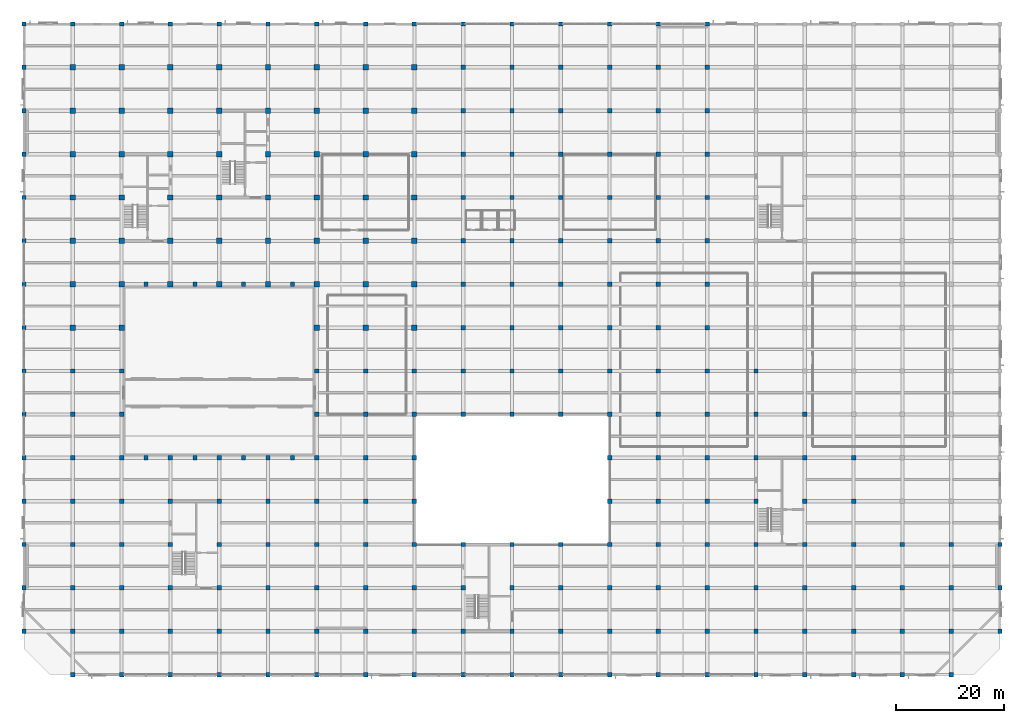
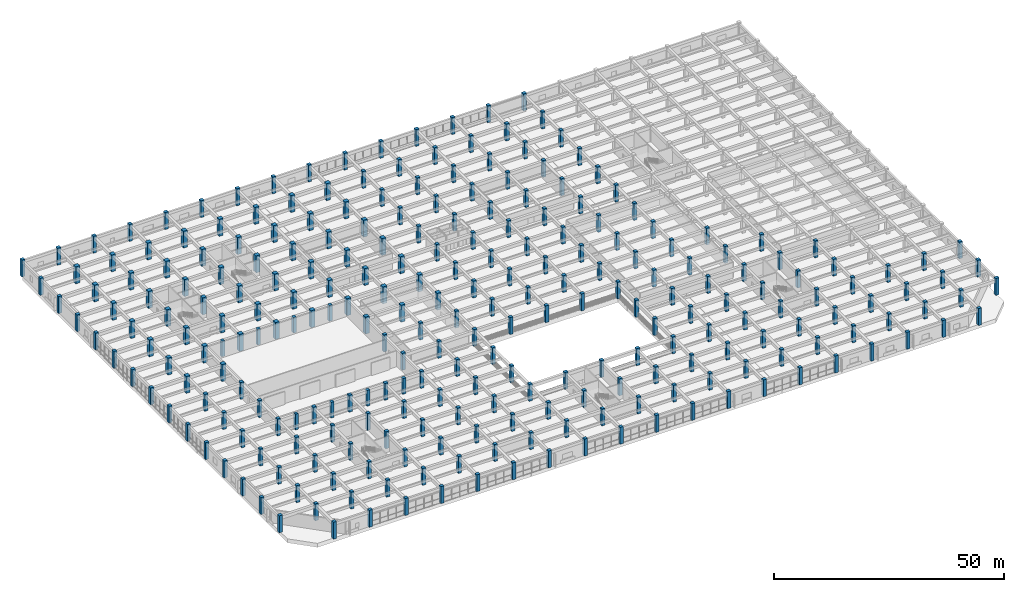
# One storey, part 1 of 50: 264 columns.
"""IFC4 building model written with IfcOpenShell, lengths in metres."""

import ifcopenshell
import ifcopenshell.guid

model = None  # the IFC model being written
_history = None  # IfcOwnerHistory: only IFC2X3 demands one
_inside = {}  # id of a spatial element -> (the spatial element, [elements in it])
_under = {}  # id of a project, library or spatial element -> (it, [spatial elements below it])
_declared = {}  # id of a project -> (the project, [libraries it declares])
_typed = {}  # id of a type object -> (the type object, [elements of that type])
_made_of = {}  # id of a material, layer set ... -> (it, [elements and type objects made of it])


def new_model(schema):
    """Start an empty IFC model of exactly this schema.

    Asked for "IFC4X3", IfcOpenShell would pick the latest addendum, in which some entities
    have other attributes; the version numbers below select the first issue.
    IFC2X3 requires an IfcOwnerHistory on every rooted entity: one is made here for all.
    """
    global model, _history
    if schema == "IFC4X3":
        model = ifcopenshell.file(schema_version=(4, 3, 0, 0))
    else:
        model = ifcopenshell.file(schema=schema)
    _inside.clear()
    _under.clear()
    _declared.clear()
    _typed.clear()
    _made_of.clear()
    _history = None
    if model.schema == "IFC2X3":
        org = make("IfcOrganization", Name="unknown")
        user = make(
            "IfcPersonAndOrganization",
            ThePerson=make("IfcPerson", FamilyName="unknown"),
            TheOrganization=org,
        )
        app = make(
            "IfcApplication",
            ApplicationDeveloper=org,
            Version="unknown",
            ApplicationFullName="unknown",
            ApplicationIdentifier="unknown",
        )
        _history = make(
            "IfcOwnerHistory",
            OwningUser=user,
            OwningApplication=app,
            ChangeAction="ADDED",
            CreationDate=0,
        )
    return model


def make(cls, **values):
    """One entity of the class cls with the attributes given. An attribute that is None is left unset."""
    return model.create_entity(
        cls, **{name: value for name, value in values.items() if value is not None}
    )


def rooted(cls, **values):
    """An entity with a GlobalId (a new one), such as an element, a storey or a relation."""
    return make(cls, GlobalId=ifcopenshell.guid.new(), OwnerHistory=_history, **values)


def si_unit(unit_type, name, prefix=None):
    """IfcSIUnit, for example si_unit("LENGTHUNIT", "METRE", prefix="MILLI")."""
    return make("IfcSIUnit", UnitType=unit_type, Prefix=prefix, Name=name)


def assignment(units):
    """IfcUnitAssignment: the units of a project."""
    return None if units is None else make("IfcUnitAssignment", Units=units)


def point(xyz):
    """IfcCartesianPoint."""
    return None if xyz is None else make("IfcCartesianPoint", Coordinates=xyz)


def direction(xyz):
    """IfcDirection."""
    return None if xyz is None else make("IfcDirection", DirectionRatios=xyz)


def frame(location, z_axis=None, x_axis=None):
    """IfcAxis2Placement3D, a coordinate frame: its origin and axes. An axis left out is left unset."""
    return make(
        "IfcAxis2Placement3D",
        Location=point(location),
        Axis=direction(z_axis),
        RefDirection=direction(x_axis),
    )


def frame_2d(location, x_axis=None):
    """IfcAxis2Placement2D, a coordinate frame in the plane: its origin and x axis."""
    return make(
        "IfcAxis2Placement2D", Location=point(location), RefDirection=direction(x_axis)
    )


def origin():
    """The frame at (0, 0, 0) with its axes left unset."""
    return frame((0.0, 0.0, 0.0))


def origin_2d():
    """The frame at (0, 0) in the plane with its x axis left unset."""
    return frame_2d((0.0, 0.0))


def place(relative_to, where):
    """IfcLocalPlacement: puts the frame where relative to a parent placement (None: the world)."""
    return make(
        "IfcLocalPlacement", PlacementRelTo=relative_to, RelativePlacement=where
    )


def context(
    kind, dimensions, precision=None, world=None, true_north=None, identifier=None
):
    """IfcGeometricRepresentationContext, for example the 3D "Model" context."""
    return make(
        "IfcGeometricRepresentationContext",
        ContextIdentifier=identifier,
        ContextType=kind,
        CoordinateSpaceDimension=dimensions,
        Precision=precision,
        WorldCoordinateSystem=world,
        TrueNorth=true_north,
    )


def subcontext(parent, identifier, kind, view, scale=None):
    """IfcGeometricRepresentationSubContext, for example "Body" below "Model"."""
    return make(
        "IfcGeometricRepresentationSubContext",
        ContextIdentifier=identifier,
        ContextType=kind,
        ParentContext=parent,
        TargetScale=scale,
        TargetView=view,
    )


def project(units=None, contexts=None):
    """IfcProject with its units and contexts."""
    return rooted(
        "IfcProject",
        Name="project",
        RepresentationContexts=contexts,
        UnitsInContext=assignment(units),
    )


def spatial(cls, under=None, at=None, **own):
    """A site, building, storey or space (cls), placed at a placement, below another one or the project."""
    s = rooted(cls, ObjectPlacement=at, **own)
    if under is not None:
        _under.setdefault(under.id(), (under, []))[1].append(s)
    return s


def profile(cls, at=None, kind="AREA", **sizes):
    """A parametric profile (cls). Its sizes go by their IFC names, for example OverallWidth=200.0."""
    return make(cls, ProfileType=kind, Position=at, **sizes)


def rectangle(**sizes):
    """IfcRectangleProfileDef."""
    return profile("IfcRectangleProfileDef", **sizes)


def extrude(swept, where, along, depth):
    """IfcExtrudedAreaSolid: the profile swept, set in the frame where, extruded along a direction by depth."""
    return make(
        "IfcExtrudedAreaSolid",
        SweptArea=swept,
        Position=where,
        ExtrudedDirection=direction(along),
        Depth=depth,
    )


def shape(context_of_items, identifier, shape_type, items):
    """IfcShapeRepresentation: the items that make up one representation, for example the "Body"."""
    return make(
        "IfcShapeRepresentation",
        ContextOfItems=context_of_items,
        RepresentationIdentifier=identifier,
        RepresentationType=shape_type,
        Items=items,
    )


def material(Name=None, Category=None):
    """IfcMaterial."""
    return make("IfcMaterial", Name=Name, Category=Category)


def material_profile(
    of_material, cross_section, Name=None, Category=None, Priority=None
):
    """IfcMaterialProfile: a cross section and its material."""
    return make(
        "IfcMaterialProfile",
        Name=Name,
        Material=of_material,
        Profile=cross_section,
        Priority=Priority,
        Category=Category,
    )


def profile_set(profiles, Name=None, composite=None):
    """IfcMaterialProfileSet."""
    return make(
        "IfcMaterialProfileSet",
        Name=Name,
        MaterialProfiles=profiles,
        CompositeProfile=composite,
    )


def made_of(thing, what):
    """Note that an element or type object is made of a material, layer set ...; save() writes the relation."""
    if what is not None:
        _made_of.setdefault(what.id(), (what, []))[1].append(thing)
    return thing


def type_object(cls, material=None, **own):
    """A type object (cls), such as IfcWallType, which elements share."""
    return made_of(rooted(cls, **own), material)


def element(
    cls,
    number,
    at=None,
    inside=None,
    cuts=None,
    type_object=None,
    material=None,
    context=None,
    identifier="Body",
    shape_type=None,
    held_by="IfcProductDefinitionShape",
    body=None,
    shapes=None,
    **own,
):
    """One element of the class cls, such as IfcWall. Its Tag is "e" and its number.

    at: its placement. inside: the storey or other place that contains it. cuts: it is an
    opening in that element (IfcRelVoidsElement). A single representation is given by context,
    identifier, shape_type and body (its items); several are given by shapes. held_by: the class
    of the entity that holds the representations. save() writes the other relations.
    """
    e = rooted(cls, Tag="e%d" % number, ObjectPlacement=at, **own)
    if body is not None:
        shapes = [shape(context, identifier, shape_type, body)]
    if shapes is not None:
        e.Representation = make(held_by, Representations=shapes)
    if inside is not None:
        _inside.setdefault(inside.id(), (inside, []))[1].append(e)
    if cuts is not None:
        rooted(
            "IfcRelVoidsElement", RelatingBuildingElement=cuts, RelatedOpeningElement=e
        )
    if type_object is not None:
        _typed.setdefault(type_object.id(), (type_object, []))[1].append(e)
    return made_of(e, material)


def aggregate(whole, parts):
    """IfcRelAggregates: a whole, such as a stair, and the parts it consists of."""
    return rooted("IfcRelAggregates", RelatingObject=whole, RelatedObjects=parts)


def save(model, path):
    """Write the relations noted so far, then the file.

    IfcRelAggregates (storeys below a building ...), IfcRelContainedInSpatialStructure (elements
    in a storey), IfcRelDefinesByType, IfcRelAssociatesMaterial and IfcRelDeclares: one each for
    every whole, place, type object, material and project.
    """
    for whole, parts in _under.values():
        aggregate(whole, parts)
    for where, things in _inside.values():
        rooted(
            "IfcRelContainedInSpatialStructure",
            RelatedElements=things,
            RelatingStructure=where,
        )
    for kind, things in _typed.values():
        rooted("IfcRelDefinesByType", RelatedObjects=things, RelatingType=kind)
    for what, things in _made_of.values():
        rooted("IfcRelAssociatesMaterial", RelatedObjects=things, RelatingMaterial=what)
    for by, libraries in _declared.values():
        rooted("IfcRelDeclares", RelatingContext=by, RelatedDefinitions=libraries)
    model.write(path)


model = new_model("IFC4")

# Units and contexts
model_context = context("Model", 3, precision=1e-05, world=origin(), true_north=direction((0.0, 1.0)))
body_context = subcontext(model_context, "Body", "Model", "MODEL_VIEW")
ifc_project = project(units=[si_unit("LENGTHUNIT", "METRE"), si_unit("AREAUNIT", "SQUARE_METRE"), si_unit("VOLUMEUNIT", "CUBIC_METRE"), si_unit("PLANEANGLEUNIT", "RADIAN"), si_unit("MASSUNIT", "GRAM", prefix="KILO")], contexts=[model_context])

# Site, building, storey
site_placement = place(None, origin())
site = spatial("IfcSite", under=ifc_project, at=site_placement, CompositionType="ELEMENT")
building_placement = place(site_placement, origin())
building = spatial("IfcBuilding", under=site, at=building_placement, Name="Zaverband Oceanarium and Marine Research Institute", CompositionType="ELEMENT")
storey_placement = place(building_placement, frame((0.0, 0.0, 4.5)))
storey = spatial("IfcBuildingStorey", under=building, at=storey_placement, Name="L01", CompositionType="ELEMENT", Elevation=4.5)

# Columns
ifc_material = material(Name="Concrete C50/60", Category="concrete")
ifc_material_profile_1 = material_profile(ifc_material, rectangle(XDim=1.0, YDim=1.0, at=origin_2d()), Name="RC1000x1000")
ifc_profile_set_1 = profile_set([ifc_material_profile_1], Name="Concrete C50/60")
column_type_1 = type_object("IfcColumnType", Name="COL-C1000", PredefinedType="COLUMN", material=ifc_profile_set_1)
for number, where, z_axis, x_axis, name in (
    (1, (9.0, 64.0, 0.0), (0.0, 0.0, 1.0), (1.0, 0.0, 0.0), "Reinforced concrete column RC1000x1000 COL-C1000"),
    (2, (9.0, 72.0, 0.0), (0.0, 0.0, 1.0), (1.0, 0.0, 0.0), "Reinforced concrete column RC1000x1000 COL-C1000"),
    (3, (9.0, 80.0, 0.0), (0.0, 0.0, 1.0), (1.0, 0.0, 0.0), "Reinforced concrete column RC1000x1000 COL-C1000"),
    (4, (9.0, 88.0, 0.0), (0.0, 0.0, 1.0), (1.0, 0.0, 0.0), "Reinforced concrete column RC1000x1000 COL-C1000"),
    (5, (9.0, 96.0, 0.0), (0.0, 0.0, 1.0), (1.0, 0.0, 0.0), "Reinforced concrete column RC1000x1000 COL-C1000"),
    (6, (9.0, 104.0, 0.0), (0.0, 0.0, 1.0), (1.0, 0.0, 0.0), "Reinforced concrete column RC1000x1000 COL-C1000"),
    (7, (9.0, 112.0, 0.0), (0.0, 0.0, 1.0), (1.0, 0.0, 0.0), "Reinforced concrete column RC1000x1000 COL-C1000"),
    (8, (18.0, 64.0, 0.0), (0.0, 0.0, 1.0), (1.0, 0.0, 0.0), "Reinforced concrete column RC1000x1000 COL-C1000"),
    (9, (18.0, 72.0, 0.0), (0.0, 0.0, 1.0), (1.0, 0.0, 0.0), "Reinforced concrete column RC1000x1000 COL-C1000"),
    (10, (18.0, 80.0, 0.0), (0.0, 0.0, 1.0), (1.0, 0.0, 0.0), "Reinforced concrete column RC1000x1000 COL-C1000"),
    (11, (18.0, 88.0, 0.0), (0.0, 0.0, 1.0), (1.0, 0.0, 0.0), "Reinforced concrete column RC1000x1000 COL-C1000"),
    (12, (18.0, 96.0, 0.0), (0.0, 0.0, 1.0), (1.0, 0.0, 0.0), "Reinforced concrete column RC1000x1000 COL-C1000"),
    (13, (18.0, 104.0, 0.0), (0.0, 0.0, 1.0), (1.0, 0.0, 0.0), "Reinforced concrete column RC1000x1000 COL-C1000"),
    (14, (18.0, 112.0, 0.0), (0.0, 0.0, 1.0), (1.0, 0.0, 0.0), "Reinforced concrete column RC1000x1000 COL-C1000"),
    (15, (27.0, 72.0, 0.0), (0.0, 0.0, 1.0), (1.0, 0.0, 0.0), "Reinforced concrete column RC1000x1000 COL-C1000"),
    (16, (27.0, 80.0, 0.0), (0.0, 0.0, 1.0), (1.0, 0.0, 0.0), "Reinforced concrete column RC1000x1000 COL-C1000"),
    (17, (27.0, 88.0, 0.0), (0.0, 0.0, 1.0), (1.0, 0.0, 0.0), "Reinforced concrete column RC1000x1000 COL-C1000"),
    (18, (27.0, 96.0, 0.0), (0.0, 0.0, 1.0), (1.0, 0.0, 0.0), "Reinforced concrete column RC1000x1000 COL-C1000"),
    (19, (27.0, 104.0, 0.0), (0.0, 0.0, 1.0), (1.0, 0.0, 0.0), "Reinforced concrete column RC1000x1000 COL-C1000"),
    (20, (27.0, 112.0, 0.0), (0.0, 0.0, 1.0), (1.0, 0.0, 0.0), "Reinforced concrete column RC1000x1000 COL-C1000"),
    (21, (36.0, 72.0, 0.0), (0.0, 0.0, 1.0), (1.0, 0.0, 0.0), "Reinforced concrete column RC1000x1000 COL-C1000"),
    (22, (36.0, 80.0, 0.0), (0.0, 0.0, 1.0), (1.0, 0.0, 0.0), "Reinforced concrete column RC1000x1000 COL-C1000"),
    (23, (36.0, 88.0, 0.0), (0.0, 0.0, 1.0), (1.0, 0.0, 0.0), "Reinforced concrete column RC1000x1000 COL-C1000"),
    (24, (36.0, 96.0, 0.0), (0.0, 0.0, 1.0), (1.0, 0.0, 0.0), "Reinforced concrete column RC1000x1000 COL-C1000"),
    (25, (36.0, 104.0, 0.0), (0.0, 0.0, 1.0), (1.0, 0.0, 0.0), "Reinforced concrete column RC1000x1000 COL-C1000"),
    (26, (36.0, 112.0, 0.0), (0.0, 0.0, 1.0), (1.0, 0.0, 0.0), "Reinforced concrete column RC1000x1000 COL-C1000"),
    (27, (45.0, 72.0, 0.0), (0.0, 0.0, 1.0), (1.0, 0.0, 0.0), "Reinforced concrete column RC1000x1000 COL-C1000"),
    (28, (45.0, 80.0, 0.0), (0.0, 0.0, 1.0), (1.0, 0.0, 0.0), "Reinforced concrete column RC1000x1000 COL-C1000"),
    (29, (45.0, 88.0, 0.0), (0.0, 0.0, 1.0), (1.0, 0.0, 0.0), "Reinforced concrete column RC1000x1000 COL-C1000"),
    (30, (45.0, 96.0, 0.0), (0.0, 0.0, 1.0), (1.0, 0.0, 0.0), "Reinforced concrete column RC1000x1000 COL-C1000"),
    (31, (45.0, 104.0, 0.0), (0.0, 0.0, 1.0), (1.0, 0.0, 0.0), "Reinforced concrete column RC1000x1000 COL-C1000"),
    (32, (45.0, 112.0, 0.0), (0.0, 0.0, 1.0), (1.0, 0.0, 0.0), "Reinforced concrete column RC1000x1000 COL-C1000"),
    (33, (54.0, 64.0, 0.0), (0.0, 0.0, 1.0), (1.0, 0.0, 0.0), "Reinforced concrete column RC1000x1000 COL-C1000"),
    (34, (54.0, 72.0, 0.0), (0.0, 0.0, 1.0), (1.0, 0.0, 0.0), "Reinforced concrete column RC1000x1000 COL-C1000"),
    (35, (54.0, 80.0, 0.0), (0.0, 0.0, 1.0), (1.0, 0.0, 0.0), "Reinforced concrete column RC1000x1000 COL-C1000"),
    (36, (54.0, 88.0, 0.0), (0.0, 0.0, 1.0), (1.0, 0.0, 0.0), "Reinforced concrete column RC1000x1000 COL-C1000"),
    (37, (54.0, 96.0, 0.0), (0.0, 0.0, 1.0), (1.0, 0.0, 0.0), "Reinforced concrete column RC1000x1000 COL-C1000"),
    (38, (54.0, 104.0, 0.0), (0.0, 0.0, 1.0), (1.0, 0.0, 0.0), "Reinforced concrete column RC1000x1000 COL-C1000"),
    (39, (54.0, 112.0, 0.0), (0.0, 0.0, 1.0), (1.0, 0.0, 0.0), "Reinforced concrete column RC1000x1000 COL-C1000"),
    (40, (63.0, 64.0, 0.0), (0.0, 0.0, 1.0), (1.0, 0.0, 0.0), "Reinforced concrete column RC1000x1000 COL-C1000"),
    (41, (63.0, 72.0, 0.0), (0.0, 0.0, 1.0), (1.0, 0.0, 0.0), "Reinforced concrete column RC1000x1000 COL-C1000"),
    (42, (63.0, 80.0, 0.0), (0.0, 0.0, 1.0), (1.0, 0.0, 0.0), "Reinforced concrete column RC1000x1000 COL-C1000"),
    (43, (63.0, 88.0, 0.0), (0.0, 0.0, 1.0), (1.0, 0.0, 0.0), "Reinforced concrete column RC1000x1000 COL-C1000"),
    (44, (63.0, 96.0, 0.0), (0.0, 0.0, 1.0), (1.0, 0.0, 0.0), "Reinforced concrete column RC1000x1000 COL-C1000"),
    (45, (63.0, 104.0, 0.0), (0.0, 0.0, 1.0), (1.0, 0.0, 0.0), "Reinforced concrete column RC1000x1000 COL-C1000"),
    (46, (63.0, 112.0, 0.0), (0.0, 0.0, 1.0), (1.0, 0.0, 0.0), "Reinforced concrete column RC1000x1000 COL-C1000"),
    (47, (72.0, 64.0, 0.0), (0.0, 0.0, 1.0), (1.0, 0.0, 0.0), "Reinforced concrete column RC1000x1000 COL-C1000"),
    (48, (72.0, 72.0, 0.0), (0.0, 0.0, 1.0), (1.0, 0.0, 0.0), "Reinforced concrete column RC1000x1000 COL-C1000"),
    (49, (72.0, 80.0, 0.0), (0.0, 0.0, 1.0), (1.0, 0.0, 0.0), "Reinforced concrete column RC1000x1000 COL-C1000"),
    (50, (72.0, 88.0, 0.0), (0.0, 0.0, 1.0), (1.0, 0.0, 0.0), "Reinforced concrete column RC1000x1000 COL-C1000"),
    (51, (72.0, 96.0, 0.0), (0.0, 0.0, 1.0), (1.0, 0.0, 0.0), "Reinforced concrete column RC1000x1000 COL-C1000"),
    (52, (72.0, 104.0, 0.0), (0.0, 0.0, 1.0), (1.0, 0.0, 0.0), "Reinforced concrete column RC1000x1000 COL-C1000"),
    (53, (72.0, 112.0, 0.0), (0.0, 0.0, 1.0), (1.0, 0.0, 0.0), "Reinforced concrete column RC1000x1000 COL-C1000"),
):
    element("IfcColumn", number, at=place(storey_placement, frame(where, z_axis=z_axis, x_axis=x_axis)), inside=storey, type_object=column_type_1, Name=name, PredefinedType="COLUMN", context=body_context, shape_type="SweptSolid", body=[
        extrude(rectangle(XDim=1.0, YDim=1.0, at=origin_2d()), origin(), (0.0, 0.0, 1.0), 4.5),
    ])
ifc_material_profile_2 = material_profile(ifc_material, rectangle(XDim=0.75, YDim=0.75, at=origin_2d()), Name="RC750x750")
ifc_profile_set_2 = profile_set([ifc_material_profile_2], Name="Concrete C50/60")
column_type_2 = type_object("IfcColumnType", Name="COL-C750", PredefinedType="COLUMN", material=ifc_profile_set_2)
for number, where, z_axis, x_axis, name in (
    (54, (22.5, 40.0, 0.0), (0.0, 0.0, 1.0), (1.0, 0.0, 0.0), "Reinforced concrete column RC750x750 COL-C750"),
    (55, (31.5, 40.0, 0.0), (0.0, 0.0, 1.0), (1.0, 0.0, 0.0), "Reinforced concrete column RC750x750 COL-C750"),
    (56, (40.5, 40.0, 0.0), (0.0, 0.0, 1.0), (1.0, 0.0, 0.0), "Reinforced concrete column RC750x750 COL-C750"),
    (57, (49.5, 40.0, 0.0), (0.0, 0.0, 1.0), (1.0, 0.0, 0.0), "Reinforced concrete column RC750x750 COL-C750"),
    (58, (22.5, 72.0, 0.0), (0.0, 0.0, 1.0), (1.0, 0.0, 0.0), "Reinforced concrete column RC750x750 COL-C750"),
    (59, (31.5, 72.0, 0.0), (0.0, 0.0, 1.0), (1.0, 0.0, 0.0), "Reinforced concrete column RC750x750 COL-C750"),
    (60, (40.5, 72.0, 0.0), (0.0, 0.0, 1.0), (1.0, 0.0, 0.0), "Reinforced concrete column RC750x750 COL-C750"),
    (61, (49.5, 72.0, 0.0), (0.0, 0.0, 1.0), (1.0, 0.0, 0.0), "Reinforced concrete column RC750x750 COL-C750"),
):
    element("IfcColumn", number, at=place(storey_placement, frame(where, z_axis=z_axis, x_axis=x_axis)), inside=storey, type_object=column_type_2, Name=name, PredefinedType="COLUMN", context=body_context, shape_type="SweptSolid", body=[
        extrude(rectangle(XDim=0.75, YDim=0.75, at=origin_2d()), origin(), (0.0, 0.0, 1.0), 4.179931640625),
    ])
ifc_material_profile_3 = material_profile(ifc_material, rectangle(XDim=0.800048828125, YDim=0.800048828125, at=origin_2d()), Name="RC800x800")
ifc_profile_set_3 = profile_set([ifc_material_profile_3], Name="Concrete C50/60")
column_type_3 = type_object("IfcColumnType", Name="COL-C800", PredefinedType="COLUMN", material=ifc_profile_set_3)
for number, where, z_axis, x_axis, name in (
    (62, (0.0, 8.0, 0.0), (0.0, 0.0, 1.0), (1.0, 0.0, 0.0), "Reinforced concrete column RC800x800 COL-C800"),
    (63, (0.0, 16.0, 0.0), (0.0, 0.0, 1.0), (1.0, 0.0, 0.0), "Reinforced concrete column RC800x800 COL-C800"),
    (64, (0.0, 24.0, 0.0), (0.0, 0.0, 1.0), (1.0, 0.0, 0.0), "Reinforced concrete column RC800x800 COL-C800"),
    (65, (0.0, 32.0, 0.0), (0.0, 0.0, 1.0), (1.0, 0.0, 0.0), "Reinforced concrete column RC800x800 COL-C800"),
    (66, (0.0, 40.0, 0.0), (0.0, 0.0, 1.0), (1.0, 0.0, 0.0), "Reinforced concrete column RC800x800 COL-C800"),
    (67, (0.0, 48.0, 0.0), (0.0, 0.0, 1.0), (1.0, 0.0, 0.0), "Reinforced concrete column RC800x800 COL-C800"),
    (68, (0.0, 56.0, 0.0), (0.0, 0.0, 1.0), (1.0, 0.0, 0.0), "Reinforced concrete column RC800x800 COL-C800"),
    (69, (0.0, 64.0, 0.0), (0.0, 0.0, 1.0), (1.0, 0.0, 0.0), "Reinforced concrete column RC800x800 COL-C800"),
    (70, (0.0, 72.0, 0.0), (0.0, 0.0, 1.0), (1.0, 0.0, 0.0), "Reinforced concrete column RC800x800 COL-C800"),
    (71, (0.0, 80.0, 0.0), (0.0, 0.0, 1.0), (1.0, 0.0, 0.0), "Reinforced concrete column RC800x800 COL-C800"),
    (72, (0.0, 88.0, 0.0), (0.0, 0.0, 1.0), (1.0, 0.0, 0.0), "Reinforced concrete column RC800x800 COL-C800"),
    (73, (0.0, 96.0, 0.0), (0.0, 0.0, 1.0), (1.0, 0.0, 0.0), "Reinforced concrete column RC800x800 COL-C800"),
    (74, (0.0, 104.0, 0.0), (0.0, 0.0, 1.0), (1.0, 0.0, 0.0), "Reinforced concrete column RC800x800 COL-C800"),
    (75, (0.0, 112.0, 0.0), (0.0, 0.0, 1.0), (1.0, 0.0, 0.0), "Reinforced concrete column RC800x800 COL-C800"),
    (76, (0.0, 120.0, 0.0), (0.0, 0.0, 1.0), (1.0, 0.0, 0.0), "Reinforced concrete column RC800x800 COL-C800"),
    (77, (9.0, 0.0, 0.0), (0.0, 0.0, 1.0), (1.0, 0.0, 0.0), "Reinforced concrete column RC800x800 COL-C800"),
    (78, (9.0, 8.0, 0.0), (0.0, 0.0, 1.0), (1.0, 0.0, 0.0), "Reinforced concrete column RC800x800 COL-C800"),
    (79, (9.0, 16.0, 0.0), (0.0, 0.0, 1.0), (1.0, 0.0, 0.0), "Reinforced concrete column RC800x800 COL-C800"),
    (80, (9.0, 24.0, 0.0), (0.0, 0.0, 1.0), (1.0, 0.0, 0.0), "Reinforced concrete column RC800x800 COL-C800"),
    (81, (9.0, 32.0, 0.0), (0.0, 0.0, 1.0), (1.0, 0.0, 0.0), "Reinforced concrete column RC800x800 COL-C800"),
    (82, (9.0, 40.0, 0.0), (0.0, 0.0, 1.0), (1.0, 0.0, 0.0), "Reinforced concrete column RC800x800 COL-C800"),
    (83, (9.0, 48.0, 0.0), (0.0, 0.0, 1.0), (1.0, 0.0, 0.0), "Reinforced concrete column RC800x800 COL-C800"),
    (84, (9.0, 56.0, 0.0), (0.0, 0.0, 1.0), (1.0, 0.0, 0.0), "Reinforced concrete column RC800x800 COL-C800"),
    (85, (9.0, 120.0, 0.0), (0.0, 0.0, 1.0), (1.0, 0.0, 0.0), "Reinforced concrete column RC800x800 COL-C800"),
    (86, (18.0, 0.0, 0.0), (0.0, 0.0, 1.0), (1.0, 0.0, 0.0), "Reinforced concrete column RC800x800 COL-C800"),
    (87, (18.0, 8.0, 0.0), (0.0, 0.0, 1.0), (1.0, 0.0, 0.0), "Reinforced concrete column RC800x800 COL-C800"),
    (88, (18.0, 16.0, 0.0), (0.0, 0.0, 1.0), (1.0, 0.0, 0.0), "Reinforced concrete column RC800x800 COL-C800"),
    (89, (18.0, 24.0, 0.0), (0.0, 0.0, 1.0), (1.0, 0.0, 0.0), "Reinforced concrete column RC800x800 COL-C800"),
    (90, (18.0, 32.0, 0.0), (0.0, 0.0, 1.0), (1.0, 0.0, 0.0), "Reinforced concrete column RC800x800 COL-C800"),
    (91, (18.0, 40.0, 0.0), (0.0, 0.0, 1.0), (1.0, 0.0, 0.0), "Reinforced concrete column RC800x800 COL-C800"),
    (92, (18.0, 48.0, 0.0), (0.0, 0.0, 1.0), (1.0, 0.0, 0.0), "Reinforced concrete column RC800x800 COL-C800"),
    (93, (18.0, 56.0, 0.0), (0.0, 0.0, 1.0), (1.0, 0.0, 0.0), "Reinforced concrete column RC800x800 COL-C800"),
    (94, (18.0, 120.0, 0.0), (0.0, 0.0, 1.0), (1.0, 0.0, 0.0), "Reinforced concrete column RC800x800 COL-C800"),
    (95, (27.0, 0.0, 0.0), (0.0, 0.0, 1.0), (1.0, 0.0, 0.0), "Reinforced concrete column RC800x800 COL-C800"),
    (96, (27.0, 8.0, 0.0), (0.0, 0.0, 1.0), (1.0, 0.0, 0.0), "Reinforced concrete column RC800x800 COL-C800"),
    (97, (27.0, 16.0, 0.0), (0.0, 0.0, 1.0), (1.0, 0.0, 0.0), "Reinforced concrete column RC800x800 COL-C800"),
    (98, (27.0, 24.0, 0.0), (0.0, 0.0, 1.0), (1.0, 0.0, 0.0), "Reinforced concrete column RC800x800 COL-C800"),
    (99, (27.0, 32.0, 0.0), (0.0, 0.0, 1.0), (1.0, 0.0, 0.0), "Reinforced concrete column RC800x800 COL-C800"),
    (100, (27.0, 40.0, 0.0), (0.0, 0.0, 1.0), (1.0, 0.0, 0.0), "Reinforced concrete column RC800x800 COL-C800"),
    (101, (27.0, 120.0, 0.0), (0.0, 0.0, 1.0), (1.0, 0.0, 0.0), "Reinforced concrete column RC800x800 COL-C800"),
    (102, (36.0, 0.0, 0.0), (0.0, 0.0, 1.0), (1.0, 0.0, 0.0), "Reinforced concrete column RC800x800 COL-C800"),
    (103, (36.0, 8.0, 0.0), (0.0, 0.0, 1.0), (1.0, 0.0, 0.0), "Reinforced concrete column RC800x800 COL-C800"),
    (104, (36.0, 16.0, 0.0), (0.0, 0.0, 1.0), (1.0, 0.0, 0.0), "Reinforced concrete column RC800x800 COL-C800"),
    (105, (36.0, 24.0, 0.0), (0.0, 0.0, 1.0), (1.0, 0.0, 0.0), "Reinforced concrete column RC800x800 COL-C800"),
    (106, (36.0, 32.0, 0.0), (0.0, 0.0, 1.0), (1.0, 0.0, 0.0), "Reinforced concrete column RC800x800 COL-C800"),
    (107, (36.0, 40.0, 0.0), (0.0, 0.0, 1.0), (1.0, 0.0, 0.0), "Reinforced concrete column RC800x800 COL-C800"),
    (108, (36.0, 120.0, 0.0), (0.0, 0.0, 1.0), (1.0, 0.0, 0.0), "Reinforced concrete column RC800x800 COL-C800"),
    (109, (45.0, 0.0, 0.0), (0.0, 0.0, 1.0), (1.0, 0.0, 0.0), "Reinforced concrete column RC800x800 COL-C800"),
    (110, (45.0, 8.0, 0.0), (0.0, 0.0, 1.0), (1.0, 0.0, 0.0), "Reinforced concrete column RC800x800 COL-C800"),
    (111, (45.0, 16.0, 0.0), (0.0, 0.0, 1.0), (1.0, 0.0, 0.0), "Reinforced concrete column RC800x800 COL-C800"),
    (112, (45.0, 24.0, 0.0), (0.0, 0.0, 1.0), (1.0, 0.0, 0.0), "Reinforced concrete column RC800x800 COL-C800"),
    (113, (45.0, 32.0, 0.0), (0.0, 0.0, 1.0), (1.0, 0.0, 0.0), "Reinforced concrete column RC800x800 COL-C800"),
    (114, (45.0, 40.0, 0.0), (0.0, 0.0, 1.0), (1.0, 0.0, 0.0), "Reinforced concrete column RC800x800 COL-C800"),
    (115, (45.0, 120.0, 0.0), (0.0, 0.0, 1.0), (1.0, 0.0, 0.0), "Reinforced concrete column RC800x800 COL-C800"),
    (116, (54.0, 0.0, 0.0), (0.0, 0.0, 1.0), (1.0, 0.0, 0.0), "Reinforced concrete column RC800x800 COL-C800"),
    (117, (54.0, 8.0, 0.0), (0.0, 0.0, 1.0), (1.0, 0.0, 0.0), "Reinforced concrete column RC800x800 COL-C800"),
    (118, (54.0, 16.0, 0.0), (0.0, 0.0, 1.0), (1.0, 0.0, 0.0), "Reinforced concrete column RC800x800 COL-C800"),
    (119, (54.0, 24.0, 0.0), (0.0, 0.0, 1.0), (1.0, 0.0, 0.0), "Reinforced concrete column RC800x800 COL-C800"),
    (120, (54.0, 32.0, 0.0), (0.0, 0.0, 1.0), (1.0, 0.0, 0.0), "Reinforced concrete column RC800x800 COL-C800"),
    (121, (54.0, 40.0, 0.0), (0.0, 0.0, 1.0), (1.0, 0.0, 0.0), "Reinforced concrete column RC800x800 COL-C800"),
    (122, (54.0, 48.0, 0.0), (0.0, 0.0, 1.0), (1.0, 0.0, 0.0), "Reinforced concrete column RC800x800 COL-C800"),
    (123, (54.0, 56.0, 0.0), (0.0, 0.0, 1.0), (1.0, 0.0, 0.0), "Reinforced concrete column RC800x800 COL-C800"),
    (124, (54.0, 120.0, 0.0), (0.0, 0.0, 1.0), (1.0, 0.0, 0.0), "Reinforced concrete column RC800x800 COL-C800"),
    (125, (63.0, 0.0, 0.0), (0.0, 0.0, 1.0), (1.0, 0.0, 0.0), "Reinforced concrete column RC800x800 COL-C800"),
    (126, (63.0, 8.0, 0.0), (0.0, 0.0, 1.0), (1.0, 0.0, 0.0), "Reinforced concrete column RC800x800 COL-C800"),
    (127, (63.0, 16.0, 0.0), (0.0, 0.0, 1.0), (1.0, 0.0, 0.0), "Reinforced concrete column RC800x800 COL-C800"),
    (128, (63.0, 24.0, 0.0), (0.0, 0.0, 1.0), (1.0, 0.0, 0.0), "Reinforced concrete column RC800x800 COL-C800"),
    (129, (63.0, 32.0, 0.0), (0.0, 0.0, 1.0), (1.0, 0.0, 0.0), "Reinforced concrete column RC800x800 COL-C800"),
    (130, (63.0, 40.0, 0.0), (0.0, 0.0, 1.0), (1.0, 0.0, 0.0), "Reinforced concrete column RC800x800 COL-C800"),
    (131, (63.0, 48.0, 0.0), (0.0, 0.0, 1.0), (1.0, 0.0, 0.0), "Reinforced concrete column RC800x800 COL-C800"),
    (132, (63.0, 56.0, 0.0), (0.0, 0.0, 1.0), (1.0, 0.0, 0.0), "Reinforced concrete column RC800x800 COL-C800"),
    (133, (63.0, 120.0, 0.0), (0.0, 0.0, 1.0), (1.0, 0.0, 0.0), "Reinforced concrete column RC800x800 COL-C800"),
    (134, (72.0, 0.0, 0.0), (0.0, 0.0, 1.0), (1.0, 0.0, 0.0), "Reinforced concrete column RC800x800 COL-C800"),
    (135, (72.0, 8.0, 0.0), (0.0, 0.0, 1.0), (1.0, 0.0, 0.0), "Reinforced concrete column RC800x800 COL-C800"),
    (136, (72.0, 16.0, 0.0), (0.0, 0.0, 1.0), (1.0, 0.0, 0.0), "Reinforced concrete column RC800x800 COL-C800"),
    (137, (72.0, 24.0, 0.0), (0.0, 0.0, 1.0), (1.0, 0.0, 0.0), "Reinforced concrete column RC800x800 COL-C800"),
    (138, (72.0, 32.0, 0.0), (0.0, 0.0, 1.0), (1.0, 0.0, 0.0), "Reinforced concrete column RC800x800 COL-C800"),
    (139, (72.0, 40.0, 0.0), (0.0, 0.0, 1.0), (1.0, 0.0, 0.0), "Reinforced concrete column RC800x800 COL-C800"),
    (140, (72.0, 48.0, 0.0), (0.0, 0.0, 1.0), (1.0, 0.0, 0.0), "Reinforced concrete column RC800x800 COL-C800"),
    (141, (72.0, 56.0, 0.0), (0.0, 0.0, 1.0), (1.0, 0.0, 0.0), "Reinforced concrete column RC800x800 COL-C800"),
    (142, (72.0, 120.0, 0.0), (0.0, 0.0, 1.0), (1.0, 0.0, 0.0), "Reinforced concrete column RC800x800 COL-C800"),
    (143, (81.0, 0.0, 0.0), (0.0, 0.0, 1.0), (1.0, 0.0, 0.0), "Reinforced concrete column RC800x800 COL-C800"),
    (144, (81.0, 8.0, 0.0), (0.0, 0.0, 1.0), (1.0, 0.0, 0.0), "Reinforced concrete column RC800x800 COL-C800"),
    (145, (81.0, 16.0, 0.0), (0.0, 0.0, 1.0), (1.0, 0.0, 0.0), "Reinforced concrete column RC800x800 COL-C800"),
    (146, (81.0, 24.0, 0.0), (0.0, 0.0, 1.0), (1.0, 0.0, 0.0), "Reinforced concrete column RC800x800 COL-C800"),
    (147, (81.0, 48.0, 0.0), (0.0, 0.0, 1.0), (1.0, 0.0, 0.0), "Reinforced concrete column RC800x800 COL-C800"),
    (148, (81.0, 56.0, 0.0), (0.0, 0.0, 1.0), (1.0, 0.0, 0.0), "Reinforced concrete column RC800x800 COL-C800"),
    (149, (81.0, 64.0, 0.0), (0.0, 0.0, 1.0), (1.0, 0.0, 0.0), "Reinforced concrete column RC800x800 COL-C800"),
    (150, (81.0, 72.0, 0.0), (0.0, 0.0, 1.0), (1.0, 0.0, 0.0), "Reinforced concrete column RC800x800 COL-C800"),
    (151, (81.0, 80.0, 0.0), (0.0, 0.0, 1.0), (1.0, 0.0, 0.0), "Reinforced concrete column RC800x800 COL-C800"),
    (152, (81.0, 88.0, 0.0), (0.0, 0.0, 1.0), (1.0, 0.0, 0.0), "Reinforced concrete column RC800x800 COL-C800"),
    (153, (81.0, 96.0, 0.0), (0.0, 0.0, 1.0), (1.0, 0.0, 0.0), "Reinforced concrete column RC800x800 COL-C800"),
    (154, (81.0, 104.0, 0.0), (0.0, 0.0, 1.0), (1.0, 0.0, 0.0), "Reinforced concrete column RC800x800 COL-C800"),
    (155, (81.0, 112.0, 0.0), (0.0, 0.0, 1.0), (1.0, 0.0, 0.0), "Reinforced concrete column RC800x800 COL-C800"),
    (156, (81.0, 120.0, 0.0), (0.0, 0.0, 1.0), (1.0, 0.0, 0.0), "Reinforced concrete column RC800x800 COL-C800"),
    (157, (90.0, 0.0, 0.0), (0.0, 0.0, 1.0), (1.0, 0.0, 0.0), "Reinforced concrete column RC800x800 COL-C800"),
    (158, (90.0, 8.0, 0.0), (0.0, 0.0, 1.0), (1.0, 0.0, 0.0), "Reinforced concrete column RC800x800 COL-C800"),
    (159, (90.0, 16.0, 0.0), (0.0, 0.0, 1.0), (1.0, 0.0, 0.0), "Reinforced concrete column RC800x800 COL-C800"),
    (160, (90.0, 24.0, 0.0), (0.0, 0.0, 1.0), (1.0, 0.0, 0.0), "Reinforced concrete column RC800x800 COL-C800"),
    (161, (90.0, 48.0, 0.0), (0.0, 0.0, 1.0), (1.0, 0.0, 0.0), "Reinforced concrete column RC800x800 COL-C800"),
    (162, (90.0, 56.0, 0.0), (0.0, 0.0, 1.0), (1.0, 0.0, 0.0), "Reinforced concrete column RC800x800 COL-C800"),
    (163, (90.0, 64.0, 0.0), (0.0, 0.0, 1.0), (1.0, 0.0, 0.0), "Reinforced concrete column RC800x800 COL-C800"),
    (164, (90.0, 72.0, 0.0), (0.0, 0.0, 1.0), (1.0, 0.0, 0.0), "Reinforced concrete column RC800x800 COL-C800"),
    (165, (90.0, 80.0, 0.0), (0.0, 0.0, 1.0), (1.0, 0.0, 0.0), "Reinforced concrete column RC800x800 COL-C800"),
    (166, (90.0, 88.0, 0.0), (0.0, 0.0, 1.0), (1.0, 0.0, 0.0), "Reinforced concrete column RC800x800 COL-C800"),
    (167, (90.0, 96.0, 0.0), (0.0, 0.0, 1.0), (1.0, 0.0, 0.0), "Reinforced concrete column RC800x800 COL-C800"),
    (168, (90.0, 104.0, 0.0), (0.0, 0.0, 1.0), (1.0, 0.0, 0.0), "Reinforced concrete column RC800x800 COL-C800"),
    (169, (90.0, 112.0, 0.0), (0.0, 0.0, 1.0), (1.0, 0.0, 0.0), "Reinforced concrete column RC800x800 COL-C800"),
    (170, (90.0, 120.0, 0.0), (0.0, 0.0, 1.0), (1.0, 0.0, 0.0), "Reinforced concrete column RC800x800 COL-C800"),
    (171, (99.0, 0.0, 0.0), (0.0, 0.0, 1.0), (1.0, 0.0, 0.0), "Reinforced concrete column RC800x800 COL-C800"),
    (172, (99.0, 8.0, 0.0), (0.0, 0.0, 1.0), (1.0, 0.0, 0.0), "Reinforced concrete column RC800x800 COL-C800"),
    (173, (99.0, 16.0, 0.0), (0.0, 0.0, 1.0), (1.0, 0.0, 0.0), "Reinforced concrete column RC800x800 COL-C800"),
    (174, (99.0, 24.0, 0.0), (0.0, 0.0, 1.0), (1.0, 0.0, 0.0), "Reinforced concrete column RC800x800 COL-C800"),
    (175, (99.0, 48.0, 0.0), (0.0, 0.0, 1.0), (1.0, 0.0, 0.0), "Reinforced concrete column RC800x800 COL-C800"),
    (176, (99.0, 56.0, 0.0), (0.0, 0.0, 1.0), (1.0, 0.0, 0.0), "Reinforced concrete column RC800x800 COL-C800"),
    (177, (99.0, 64.0, 0.0), (0.0, 0.0, 1.0), (1.0, 0.0, 0.0), "Reinforced concrete column RC800x800 COL-C800"),
    (178, (99.0, 72.0, 0.0), (0.0, 0.0, 1.0), (1.0, 0.0, 0.0), "Reinforced concrete column RC800x800 COL-C800"),
    (179, (99.0, 80.0, 0.0), (0.0, 0.0, 1.0), (1.0, 0.0, 0.0), "Reinforced concrete column RC800x800 COL-C800"),
    (180, (99.0, 88.0, 0.0), (0.0, 0.0, 1.0), (1.0, 0.0, 0.0), "Reinforced concrete column RC800x800 COL-C800"),
    (181, (99.0, 96.0, 0.0), (0.0, 0.0, 1.0), (1.0, 0.0, 0.0), "Reinforced concrete column RC800x800 COL-C800"),
    (182, (99.0, 104.0, 0.0), (0.0, 0.0, 1.0), (1.0, 0.0, 0.0), "Reinforced concrete column RC800x800 COL-C800"),
    (183, (99.0, 112.0, 0.0), (0.0, 0.0, 1.0), (1.0, 0.0, 0.0), "Reinforced concrete column RC800x800 COL-C800"),
    (184, (99.0, 120.0, 0.0), (0.0, 0.0, 1.0), (1.0, 0.0, 0.0), "Reinforced concrete column RC800x800 COL-C800"),
    (185, (108.0, 0.0, 0.0), (0.0, 0.0, 1.0), (1.0, 0.0, 0.0), "Reinforced concrete column RC800x800 COL-C800"),
    (186, (108.0, 8.0, 0.0), (0.0, 0.0, 1.0), (1.0, 0.0, 0.0), "Reinforced concrete column RC800x800 COL-C800"),
    (187, (108.0, 16.0, 0.0), (0.0, 0.0, 1.0), (1.0, 0.0, 0.0), "Reinforced concrete column RC800x800 COL-C800"),
    (188, (108.0, 24.0, 0.0), (0.0, 0.0, 1.0), (1.0, 0.0, 0.0), "Reinforced concrete column RC800x800 COL-C800"),
    (189, (108.0, 32.0, 0.0), (0.0, 0.0, 1.0), (1.0, 0.0, 0.0), "Reinforced concrete column RC800x800 COL-C800"),
    (190, (108.0, 40.0, 0.0), (0.0, 0.0, 1.0), (1.0, 0.0, 0.0), "Reinforced concrete column RC800x800 COL-C800"),
    (191, (108.0, 48.0, 0.0), (0.0, 0.0, 1.0), (1.0, 0.0, 0.0), "Reinforced concrete column RC800x800 COL-C800"),
    (192, (108.0, 56.0, 0.0), (0.0, 0.0, 1.0), (1.0, 0.0, 0.0), "Reinforced concrete column RC800x800 COL-C800"),
    (193, (108.0, 64.0, 0.0), (0.0, 0.0, 1.0), (1.0, 0.0, 0.0), "Reinforced concrete column RC800x800 COL-C800"),
    (194, (108.0, 72.0, 0.0), (0.0, 0.0, 1.0), (1.0, 0.0, 0.0), "Reinforced concrete column RC800x800 COL-C800"),
    (195, (108.0, 80.0, 0.0), (0.0, 0.0, 1.0), (1.0, 0.0, 0.0), "Reinforced concrete column RC800x800 COL-C800"),
    (196, (108.0, 88.0, 0.0), (0.0, 0.0, 1.0), (1.0, 0.0, 0.0), "Reinforced concrete column RC800x800 COL-C800"),
    (197, (108.0, 96.0, 0.0), (0.0, 0.0, 1.0), (1.0, 0.0, 0.0), "Reinforced concrete column RC800x800 COL-C800"),
    (198, (108.0, 104.0, 0.0), (0.0, 0.0, 1.0), (1.0, 0.0, 0.0), "Reinforced concrete column RC800x800 COL-C800"),
    (199, (108.0, 112.0, 0.0), (0.0, 0.0, 1.0), (1.0, 0.0, 0.0), "Reinforced concrete column RC800x800 COL-C800"),
    (200, (108.0, 120.0, 0.0), (0.0, 0.0, 1.0), (1.0, 0.0, 0.0), "Reinforced concrete column RC800x800 COL-C800"),
    (201, (117.0, 0.0, 0.0), (0.0, 0.0, 1.0), (1.0, 0.0, 0.0), "Reinforced concrete column RC800x800 COL-C800"),
    (202, (117.0, 8.0, 0.0), (0.0, 0.0, 1.0), (1.0, 0.0, 0.0), "Reinforced concrete column RC800x800 COL-C800"),
    (203, (117.0, 16.0, 0.0), (0.0, 0.0, 1.0), (1.0, 0.0, 0.0), "Reinforced concrete column RC800x800 COL-C800"),
    (204, (117.0, 24.0, 0.0), (0.0, 0.0, 1.0), (1.0, 0.0, 0.0), "Reinforced concrete column RC800x800 COL-C800"),
    (205, (117.0, 32.0, 0.0), (0.0, 0.0, 1.0), (1.0, 0.0, 0.0), "Reinforced concrete column RC800x800 COL-C800"),
    (206, (117.0, 40.0, 0.0), (0.0, 0.0, 1.0), (1.0, 0.0, 0.0), "Reinforced concrete column RC800x800 COL-C800"),
    (207, (117.0, 48.0, 0.0), (0.0, 0.0, 1.0), (1.0, 0.0, 0.0), "Reinforced concrete column RC800x800 COL-C800"),
    (208, (117.0, 56.0, 0.0), (0.0, 0.0, 1.0), (1.0, 0.0, 0.0), "Reinforced concrete column RC800x800 COL-C800"),
    (209, (117.0, 64.0, 0.0), (0.0, 0.0, 1.0), (1.0, 0.0, 0.0), "Reinforced concrete column RC800x800 COL-C800"),
    (210, (117.0, 72.0, 0.0), (0.0, 0.0, 1.0), (1.0, 0.0, 0.0), "Reinforced concrete column RC800x800 COL-C800"),
    (211, (117.0, 80.0, 0.0), (0.0, 0.0, 1.0), (1.0, 0.0, 0.0), "Reinforced concrete column RC800x800 COL-C800"),
    (212, (117.0, 88.0, 0.0), (0.0, 0.0, 1.0), (1.0, 0.0, 0.0), "Reinforced concrete column RC800x800 COL-C800"),
    (213, (117.0, 96.0, 0.0), (0.0, 0.0, 1.0), (1.0, 0.0, 0.0), "Reinforced concrete column RC800x800 COL-C800"),
    (214, (117.0, 104.0, 0.0), (0.0, 0.0, 1.0), (1.0, 0.0, 0.0), "Reinforced concrete column RC800x800 COL-C800"),
    (215, (117.0, 112.0, 0.0), (0.0, 0.0, 1.0), (1.0, 0.0, 0.0), "Reinforced concrete column RC800x800 COL-C800"),
    (216, (117.0, 120.0, 0.0), (0.0, 0.0, 1.0), (1.0, 0.0, 0.0), "Reinforced concrete column RC800x800 COL-C800"),
    (217, (126.0, 0.0, 0.0), (0.0, 0.0, 1.0), (1.0, 0.0, 0.0), "Reinforced concrete column RC800x800 COL-C800"),
    (218, (126.0, 8.0, 0.0), (0.0, 0.0, 1.0), (1.0, 0.0, 0.0), "Reinforced concrete column RC800x800 COL-C800"),
    (219, (126.0, 16.0, 0.0), (0.0, 0.0, 1.0), (1.0, 0.0, 0.0), "Reinforced concrete column RC800x800 COL-C800"),
    (220, (126.0, 24.0, 0.0), (0.0, 0.0, 1.0), (1.0, 0.0, 0.0), "Reinforced concrete column RC800x800 COL-C800"),
    (221, (126.0, 32.0, 0.0), (0.0, 0.0, 1.0), (1.0, 0.0, 0.0), "Reinforced concrete column RC800x800 COL-C800"),
    (222, (126.0, 40.0, 0.0), (0.0, 0.0, 1.0), (1.0, 0.0, 0.0), "Reinforced concrete column RC800x800 COL-C800"),
    (223, (126.0, 48.0, 0.0), (0.0, 0.0, 1.0), (1.0, 0.0, 0.0), "Reinforced concrete column RC800x800 COL-C800"),
    (224, (126.0, 56.0, 0.0), (0.0, 0.0, 1.0), (1.0, 0.0, 0.0), "Reinforced concrete column RC800x800 COL-C800"),
    (225, (126.0, 64.0, 0.0), (0.0, 0.0, 1.0), (1.0, 0.0, 0.0), "Reinforced concrete column RC800x800 COL-C800"),
    (226, (126.0, 72.0, 0.0), (0.0, 0.0, 1.0), (1.0, 0.0, 0.0), "Reinforced concrete column RC800x800 COL-C800"),
    (227, (126.0, 80.0, 0.0), (0.0, 0.0, 1.0), (1.0, 0.0, 0.0), "Reinforced concrete column RC800x800 COL-C800"),
    (228, (126.0, 88.0, 0.0), (0.0, 0.0, 1.0), (1.0, 0.0, 0.0), "Reinforced concrete column RC800x800 COL-C800"),
    (229, (126.0, 96.0, 0.0), (0.0, 0.0, 1.0), (1.0, 0.0, 0.0), "Reinforced concrete column RC800x800 COL-C800"),
    (230, (126.0, 104.0, 0.0), (0.0, 0.0, 1.0), (1.0, 0.0, 0.0), "Reinforced concrete column RC800x800 COL-C800"),
    (231, (126.0, 112.0, 0.0), (0.0, 0.0, 1.0), (1.0, 0.0, 0.0), "Reinforced concrete column RC800x800 COL-C800"),
    (232, (126.0, 120.0, 0.0), (0.0, 0.0, 1.0), (1.0, 0.0, 0.0), "Reinforced concrete column RC800x800 COL-C800"),
    (233, (135.0, 0.0, 0.0), (0.0, 0.0, 1.0), (1.0, 0.0, 0.0), "Reinforced concrete column RC800x800 COL-C800"),
    (234, (135.0, 8.0, 0.0), (0.0, 0.0, 1.0), (1.0, 0.0, 0.0), "Reinforced concrete column RC800x800 COL-C800"),
    (235, (135.0, 16.0, 0.0), (0.0, 0.0, 1.0), (1.0, 0.0, 0.0), "Reinforced concrete column RC800x800 COL-C800"),
    (236, (135.0, 24.0, 0.0), (0.0, 0.0, 1.0), (1.0, 0.0, 0.0), "Reinforced concrete column RC800x800 COL-C800"),
    (237, (135.0, 32.0, 0.0), (0.0, 0.0, 1.0), (1.0, 0.0, 0.0), "Reinforced concrete column RC800x800 COL-C800"),
    (238, (135.0, 40.0, 0.0), (0.0, 0.0, 1.0), (1.0, 0.0, 0.0), "Reinforced concrete column RC800x800 COL-C800"),
    (239, (135.0, 48.0, 0.0), (0.0, 0.0, 1.0), (1.0, 0.0, 0.0), "Reinforced concrete column RC800x800 COL-C800"),
    (240, (135.0, 56.0, 0.0), (0.0, 0.0, 1.0), (1.0, 0.0, 0.0), "Reinforced concrete column RC800x800 COL-C800"),
    (241, (144.0, 0.0, 0.0), (0.0, 0.0, 1.0), (1.0, 0.0, 0.0), "Reinforced concrete column RC800x800 COL-C800"),
    (242, (144.0, 8.0, 0.0), (0.0, 0.0, 1.0), (1.0, 0.0, 0.0), "Reinforced concrete column RC800x800 COL-C800"),
    (243, (144.0, 16.0, 0.0), (0.0, 0.0, 1.0), (1.0, 0.0, 0.0), "Reinforced concrete column RC800x800 COL-C800"),
    (244, (144.0, 24.0, 0.0), (0.0, 0.0, 1.0), (1.0, 0.0, 0.0), "Reinforced concrete column RC800x800 COL-C800"),
    (245, (144.0, 32.0, 0.0), (0.0, 0.0, 1.0), (1.0, 0.0, 0.0), "Reinforced concrete column RC800x800 COL-C800"),
    (246, (144.0, 40.0, 0.0), (0.0, 0.0, 1.0), (1.0, 0.0, 0.0), "Reinforced concrete column RC800x800 COL-C800"),
    (247, (144.0, 48.0, 0.0), (0.0, 0.0, 1.0), (1.0, 0.0, 0.0), "Reinforced concrete column RC800x800 COL-C800"),
    (248, (153.0, 0.0, 0.0), (0.0, 0.0, 1.0), (1.0, 0.0, 0.0), "Reinforced concrete column RC800x800 COL-C800"),
    (249, (153.0, 8.0, 0.0), (0.0, 0.0, 1.0), (1.0, 0.0, 0.0), "Reinforced concrete column RC800x800 COL-C800"),
    (250, (153.0, 16.0, 0.0), (0.0, 0.0, 1.0), (1.0, 0.0, 0.0), "Reinforced concrete column RC800x800 COL-C800"),
    (251, (153.0, 24.0, 0.0), (0.0, 0.0, 1.0), (1.0, 0.0, 0.0), "Reinforced concrete column RC800x800 COL-C800"),
    (252, (153.0, 32.0, 0.0), (0.0, 0.0, 1.0), (1.0, 0.0, 0.0), "Reinforced concrete column RC800x800 COL-C800"),
    (253, (153.0, 40.0, 0.0), (0.0, 0.0, 1.0), (1.0, 0.0, 0.0), "Reinforced concrete column RC800x800 COL-C800"),
    (254, (162.0, 0.0, 0.0), (0.0, 0.0, 1.0), (1.0, 0.0, 0.0), "Reinforced concrete column RC800x800 COL-C800"),
    (255, (162.0, 8.0, 0.0), (0.0, 0.0, 1.0), (1.0, 0.0, 0.0), "Reinforced concrete column RC800x800 COL-C800"),
    (256, (162.0, 16.0, 0.0), (0.0, 0.0, 1.0), (1.0, 0.0, 0.0), "Reinforced concrete column RC800x800 COL-C800"),
    (257, (162.0, 24.0, 0.0), (0.0, 0.0, 1.0), (1.0, 0.0, 0.0), "Reinforced concrete column RC800x800 COL-C800"),
    (258, (171.0, 0.0, 0.0), (0.0, 0.0, 1.0), (1.0, 0.0, 0.0), "Reinforced concrete column RC800x800 COL-C800"),
    (259, (171.0, 8.0, 0.0), (0.0, 0.0, 1.0), (1.0, 0.0, 0.0), "Reinforced concrete column RC800x800 COL-C800"),
    (260, (171.0, 16.0, 0.0), (0.0, 0.0, 1.0), (1.0, 0.0, 0.0), "Reinforced concrete column RC800x800 COL-C800"),
    (261, (171.0, 24.0, 0.0), (0.0, 0.0, 1.0), (1.0, 0.0, 0.0), "Reinforced concrete column RC800x800 COL-C800"),
    (262, (180.0, 8.0, 0.0), (0.0, 0.0, 1.0), (1.0, 0.0, 0.0), "Reinforced concrete column RC800x800 COL-C800"),
    (263, (180.0, 16.0, 0.0), (0.0, 0.0, 1.0), (1.0, 0.0, 0.0), "Reinforced concrete column RC800x800 COL-C800"),
    (264, (180.0, 24.0, 0.0), (0.0, 0.0, 1.0), (1.0, 0.0, 0.0), "Reinforced concrete column RC800x800 COL-C800"),
):
    element("IfcColumn", number, at=place(storey_placement, frame(where, z_axis=z_axis, x_axis=x_axis)), inside=storey, type_object=column_type_3, Name=name, PredefinedType="COLUMN", context=body_context, shape_type="SweptSolid", body=[
        extrude(rectangle(XDim=0.800048828125, YDim=0.800048828125, at=origin_2d()), origin(), (0.0, 0.0, 1.0), 4.5),
    ])

save(model, "model.ifc")
